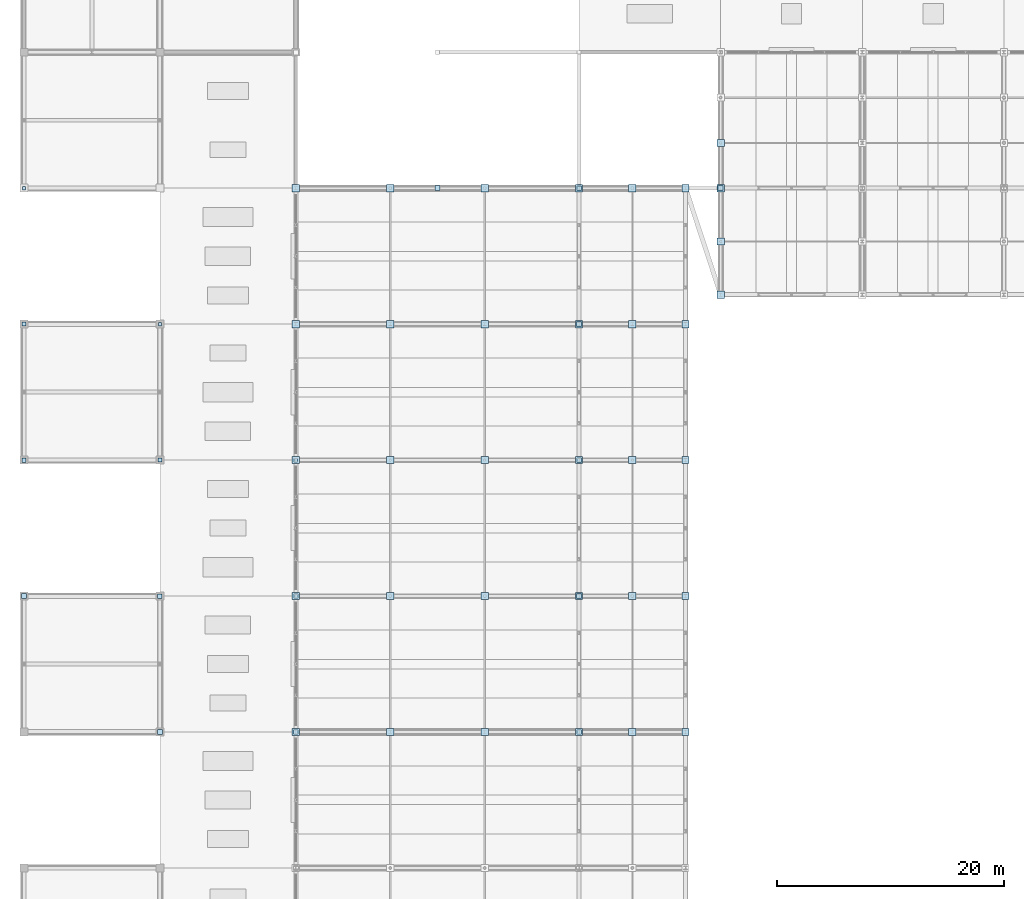
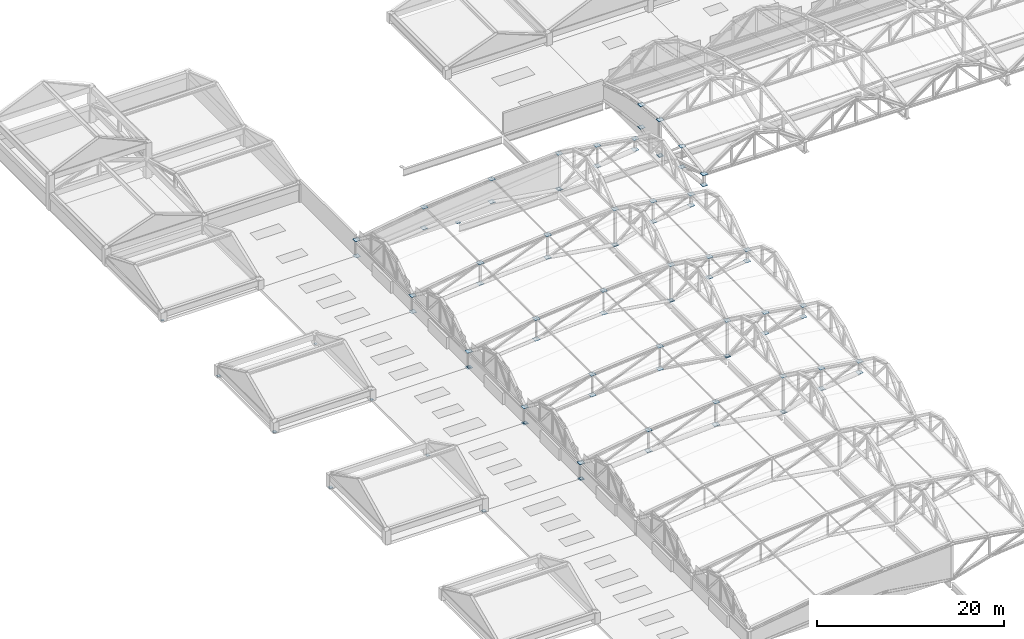
# One storey, part 101 of 117: 86 plates.
"""IFC4 building model written with IfcOpenShell, lengths in metres."""

from ifc_helpers import new_model, si_unit, direction, frame, origin, origin_2d, place, context, subcontext, project, spatial, rectangle, extrude, material, layer, layer_set, type_object, element, save


model = new_model("IFC4")

# Units and contexts
model_context = context("Model", 3, precision=1e-05, world=origin(), true_north=direction((0.0, 1.0)))
body_context = subcontext(model_context, "Body", "Model", "MODEL_VIEW")
ifc_project = project(units=[si_unit("LENGTHUNIT", "METRE"), si_unit("AREAUNIT", "SQUARE_METRE"), si_unit("VOLUMEUNIT", "CUBIC_METRE"), si_unit("PLANEANGLEUNIT", "RADIAN"), si_unit("MASSUNIT", "GRAM", prefix="KILO")], contexts=[model_context])

# Site, building, storey
site_placement = place(None, origin())
site = spatial("IfcSite", under=ifc_project, at=site_placement, CompositionType="ELEMENT")
building_placement = place(site_placement, origin())
building = spatial("IfcBuilding", under=site, at=building_placement, Name="Kazenohara Klinker Stadium", CompositionType="ELEMENT")
storey_placement = place(building_placement, frame((0.0, 0.0, 31.199951171875)))
storey = spatial("IfcBuildingStorey", under=building, at=storey_placement, Name="RF", CompositionType="ELEMENT", Elevation=31.199951171875)

# Plates
ifc_material = material(Name="Steel S355", Category="steel")
ifc_layer_1 = layer(ifc_material, 0.02001953125)
ifc_layer_set_1 = layer_set([ifc_layer_1], Name="Steel S355")
plate_type_1 = type_object("IfcPlateType", Name="PLT-GP01", PredefinedType="USERDEFINED", material=ifc_layer_set_1)
for number, where, z_axis, x_axis, name in (
    (1, (0.0, 96.0, -0.010009765625), (0.0, 0.0, 1.0), (1.0, 0.0, 0.0), "Hollow column end-cap plate GP01 RF 1/J"),
    (2, (12.0, 84.0, -0.010009765625), (0.0, 0.0, 1.0), (1.0, 0.0, 0.0), "Hollow column end-cap plate GP01 RF 2/H"),
    (3, (49.0, 120.0, -0.010009765625), (0.0, 0.0, 1.0), (1.0, 0.0, 0.0), "Hollow column end-cap plate GP01 RF 5/L"),
):
    element("IfcPlate", number, at=place(storey_placement, frame(where, z_axis=z_axis, x_axis=x_axis)), inside=storey, type_object=plate_type_1, Name=name, ObjectType="GUSSET PLATE", PredefinedType="USERDEFINED", context=body_context, shape_type="SweptSolid", body=[
        extrude(rectangle(XDim=0.43994140625, YDim=0.43994140625, at=origin_2d()), origin(), (0.0, 0.0, 1.0), 0.02001953125),
    ])
plate_1_placement = place(storey_placement, frame((49.0, 132.0, -0.010009765625), z_axis=(0.0, 0.0, 1.0), x_axis=(1.0, 0.0, 0.0)))
element("IfcPlate", 4, at=plate_1_placement, inside=storey, type_object=plate_type_1, Name="Hollow column end-cap plate GP01 RF 5/M", ObjectType="GUSSET PLATE", PredefinedType="USERDEFINED", context=body_context, shape_type="SweptSolid", body=[
    extrude(rectangle(XDim=0.389892578125, YDim=0.389892578125, at=origin_2d()), origin(), (0.0, 0.0, 1.0), 0.02001953125),
])
for number, where, z_axis, x_axis, name in (
    (5, (61.5, 127.300048828125, 1.340087890625), (0.0, 0.0, 1.0), (1.0, 0.0, 0.0), "ROOF TRUSS RT-N01 node gusset plate BN5"),
    (6, (61.5, 127.300048828125, 4.0400390625), (0.0, 0.0, 1.0), (1.0, 0.0, 0.0), "ROOF TRUSS RT-N01 node gusset plate TN5"),
    (7, (49.0, 84.0, -0.030029296875), (0.0, 0.0, 1.0), (1.0, 0.0, 0.0), "ROOF TRUSS RT-W04 node gusset plate BN4"),
    (8, (49.0, 84.0, 4.64013671875), (0.0, 0.0, 1.0), (1.0, 0.0, 0.0), "ROOF TRUSS RT-W04 node gusset plate TN4"),
    (9, (40.666748046875, 96.0, 1.239990234375), (0.0, 0.0, 1.0), (1.0, 0.0, 0.0), "ROOF TRUSS RT-W05 node gusset plate BN3"),
    (10, (40.666748046875, 96.0, 4.18994140625), (0.0, 0.0, 1.0), (1.0, 0.0, 0.0), "ROOF TRUSS RT-W05 node gusset plate TN3"),
    (11, (32.333251953125, 108.0, 0.739990234375), (0.0, 0.0, 1.0), (1.0, 0.0, 0.0), "ROOF TRUSS RT-W06 node gusset plate BN2"),
    (12, (32.333251953125, 108.0, 3.43994140625), (0.0, 0.0, 1.0), (1.0, 0.0, 0.0), "ROOF TRUSS RT-W06 node gusset plate TN2"),
    (13, (24.0, 120.0, -0.030029296875), (0.0, 0.0, 1.0), (1.0, 0.0, 0.0), "ROOF TRUSS RT-W07 node gusset plate BN1"),
    (14, (24.0, 120.0, 2.090087890625), (0.0, 0.0, 1.0), (1.0, 0.0, 0.0), "ROOF TRUSS RT-W07 node gusset plate TN1"),
    (15, (58.39990234375, 132.0, 1.840087890625), (0.0, 0.0, 1.0), (1.0, 0.0, 0.0), "ROOF TRUSS RT-W08 node gusset plate BN6"),
    (16, (58.39990234375, 132.0, 3.2900390625), (0.0, 0.0, 1.0), (1.0, 0.0, 0.0), "ROOF TRUSS RT-W08 node gusset plate TN6"),
):
    element("IfcPlate", number, at=place(storey_placement, frame(where, z_axis=z_axis, x_axis=x_axis)), inside=storey, type_object=plate_type_1, Name=name, ObjectType="GUSSET PLATE", PredefinedType="USERDEFINED", context=body_context, shape_type="SweptSolid", body=[
        extrude(rectangle(XDim=0.639892578125, YDim=0.639892578125, at=origin_2d()), origin(), (0.0, 0.0, 1.0), 0.02001953125),
    ])
ifc_layer_2 = layer(ifc_material, 0.02197265625)
ifc_layer_set_2 = layer_set([ifc_layer_2], Name="Steel S355")
plate_type_2 = type_object("IfcPlateType", Name="PLT-GP02", PredefinedType="USERDEFINED", material=ifc_layer_set_2)
plate_2_placement = place(storey_placement, frame((49.0, 84.0, -0.010986328125), z_axis=(0.0, 0.0, 1.0), x_axis=(1.0, 0.0, 0.0)))
element("IfcPlate", 17, at=plate_2_placement, inside=storey, type_object=plate_type_2, Name="Hollow column end-cap plate GP02 RF 5/H", ObjectType="GUSSET PLATE", PredefinedType="USERDEFINED", context=body_context, shape_type="SweptSolid", body=[
    extrude(rectangle(XDim=0.389892578125, YDim=0.389892578125, at=origin_2d()), origin(), (0.0, 0.0, 1.0), 0.02197265625),
])
for number, where, z_axis, x_axis, name in (
    (18, (61.5, 122.60009765625, 1.839111328125), (0.0, 0.0, 1.0), (1.0, 0.0, 0.0), "ROOF TRUSS RT-N01 node gusset plate BN6"),
    (19, (61.5, 122.60009765625, 3.2890625), (0.0, 0.0, 1.0), (1.0, 0.0, 0.0), "ROOF TRUSS RT-N01 node gusset plate TN6"),
    (20, (53.699951171875, 84.0, 1.339111328125), (0.0, 0.0, 1.0), (1.0, 0.0, 0.0), "ROOF TRUSS RT-W04 node gusset plate BN5"),
    (21, (53.699951171875, 84.0, 4.0390625), (0.0, 0.0, 1.0), (1.0, 0.0, 0.0), "ROOF TRUSS RT-W04 node gusset plate TN5"),
    (22, (49.0, 96.0, -0.031005859375), (0.0, 0.0, 1.0), (1.0, 0.0, 0.0), "ROOF TRUSS RT-W05 node gusset plate BN4"),
    (23, (49.0, 96.0, 4.63916015625), (0.0, 0.0, 1.0), (1.0, 0.0, 0.0), "ROOF TRUSS RT-W05 node gusset plate TN4"),
    (24, (40.666748046875, 108.0, 1.239013671875), (0.0, 0.0, 1.0), (1.0, 0.0, 0.0), "ROOF TRUSS RT-W06 node gusset plate BN3"),
    (25, (40.666748046875, 108.0, 4.18896484375), (0.0, 0.0, 1.0), (1.0, 0.0, 0.0), "ROOF TRUSS RT-W06 node gusset plate TN3"),
    (26, (32.333251953125, 120.0, 0.739013671875), (0.0, 0.0, 1.0), (1.0, 0.0, 0.0), "ROOF TRUSS RT-W07 node gusset plate BN2"),
    (27, (32.333251953125, 120.0, 3.43896484375), (0.0, 0.0, 1.0), (1.0, 0.0, 0.0), "ROOF TRUSS RT-W07 node gusset plate TN2"),
    (28, (24.0, 132.0, -0.031005859375), (0.0, 0.0, 1.0), (1.0, 0.0, 0.0), "ROOF TRUSS RT-W08 node gusset plate BN1"),
    (29, (24.0, 132.0, 2.089111328125), (0.0, 0.0, 1.0), (1.0, 0.0, 0.0), "ROOF TRUSS RT-W08 node gusset plate TN1"),
):
    element("IfcPlate", number, at=place(storey_placement, frame(where, z_axis=z_axis, x_axis=x_axis)), inside=storey, type_object=plate_type_2, Name=name, ObjectType="GUSSET PLATE", PredefinedType="USERDEFINED", context=body_context, shape_type="SweptSolid", body=[
        extrude(rectangle(XDim=0.639892578125, YDim=0.639892578125, at=origin_2d()), origin(), (0.0, 0.0, 1.0), 0.02197265625),
    ])
ifc_layer_3 = layer(ifc_material, 0.02392578125)
ifc_layer_set_3 = layer_set([ifc_layer_3], Name="Steel S355")
plate_type_3 = type_object("IfcPlateType", Name="PLT-GP03", PredefinedType="USERDEFINED", material=ifc_layer_set_3)
for number, where, z_axis, x_axis, name in (
    (30, (36.5, 132.0, -0.011962890625), (0.0, 0.0, 1.0), (1.0, 0.0, 0.0), "Hollow column end-cap plate GP03 RF 4/M"),
    (31, (49.0, 96.0, -0.011962890625), (0.0, 0.0, 1.0), (1.0, 0.0, 0.0), "Hollow column end-cap plate GP03 RF 5/J"),
    (32, (61.5, 132.0, -0.011962890625), (0.0, 0.0, 1.0), (1.0, 0.0, 0.0), "Hollow column end-cap plate GP03 RF 6/M"),
):
    element("IfcPlate", number, at=place(storey_placement, frame(where, z_axis=z_axis, x_axis=x_axis)), inside=storey, type_object=plate_type_3, Name=name, ObjectType="GUSSET PLATE", PredefinedType="USERDEFINED", context=body_context, shape_type="SweptSolid", body=[
        extrude(rectangle(XDim=0.43994140625, YDim=0.43994140625, at=origin_2d()), origin(), (0.0, 0.0, 1.0), 0.02392578125),
    ])
for number, where, z_axis, x_axis, name in (
    (33, (58.39990234375, 84.0, 1.838134765625), (0.0, 0.0, 1.0), (1.0, 0.0, 0.0), "ROOF TRUSS RT-W04 node gusset plate BN6"),
    (34, (58.39990234375, 84.0, 3.2880859375), (0.0, 0.0, 1.0), (1.0, 0.0, 0.0), "ROOF TRUSS RT-W04 node gusset plate TN6"),
    (35, (53.699951171875, 96.0, 1.338134765625), (0.0, 0.0, 1.0), (1.0, 0.0, 0.0), "ROOF TRUSS RT-W05 node gusset plate BN5"),
    (36, (53.699951171875, 96.0, 4.0380859375), (0.0, 0.0, 1.0), (1.0, 0.0, 0.0), "ROOF TRUSS RT-W05 node gusset plate TN5"),
    (37, (49.0, 108.0, -0.031982421875), (0.0, 0.0, 1.0), (1.0, 0.0, 0.0), "ROOF TRUSS RT-W06 node gusset plate BN4"),
    (38, (49.0, 108.0, 4.63818359375), (0.0, 0.0, 1.0), (1.0, 0.0, 0.0), "ROOF TRUSS RT-W06 node gusset plate TN4"),
    (39, (40.666748046875, 120.0, 1.238037109375), (0.0, 0.0, 1.0), (1.0, 0.0, 0.0), "ROOF TRUSS RT-W07 node gusset plate BN3"),
    (40, (40.666748046875, 120.0, 4.18798828125), (0.0, 0.0, 1.0), (1.0, 0.0, 0.0), "ROOF TRUSS RT-W07 node gusset plate TN3"),
    (41, (32.333251953125, 132.0, 0.738037109375), (0.0, 0.0, 1.0), (1.0, 0.0, 0.0), "ROOF TRUSS RT-W08 node gusset plate BN2"),
    (42, (32.333251953125, 132.0, 3.43798828125), (0.0, 0.0, 1.0), (1.0, 0.0, 0.0), "ROOF TRUSS RT-W08 node gusset plate TN2"),
):
    element("IfcPlate", number, at=place(storey_placement, frame(where, z_axis=z_axis, x_axis=x_axis)), inside=storey, type_object=plate_type_3, Name=name, ObjectType="GUSSET PLATE", PredefinedType="USERDEFINED", context=body_context, shape_type="SweptSolid", body=[
        extrude(rectangle(XDim=0.639892578125, YDim=0.639892578125, at=origin_2d()), origin(), (0.0, 0.0, 1.0), 0.02392578125),
    ])
ifc_layer_4 = layer(ifc_material, 0.02490234375)
ifc_layer_set_4 = layer_set([ifc_layer_4], Name="Steel S355")
plate_type_4 = type_object("IfcPlateType", Name="PLT-GP04", PredefinedType="USERDEFINED", material=ifc_layer_set_4)
plate_3_placement = place(storey_placement, frame((0.0, 108.0, -0.012451171875), z_axis=(0.0, 0.0, 1.0), x_axis=(1.0, 0.0, 0.0)))
element("IfcPlate", 43, at=plate_3_placement, inside=storey, type_object=plate_type_4, Name="Hollow column end-cap plate GP04 RF 1/K", ObjectType="GUSSET PLATE", PredefinedType="USERDEFINED", context=body_context, shape_type="SweptSolid", body=[
    extrude(rectangle(XDim=0.389892578125, YDim=0.389892578125, at=origin_2d()), origin(), (0.0, 0.0, 1.0), 0.02490234375),
])
plate_4_placement = place(storey_placement, frame((0.0, 120.0, -0.012451171875), z_axis=(0.0, 0.0, 1.0), x_axis=(1.0, 0.0, 0.0)))
element("IfcPlate", 44, at=plate_4_placement, inside=storey, type_object=plate_type_4, Name="Hollow column end-cap plate GP04 RF 1/L", ObjectType="GUSSET PLATE", PredefinedType="USERDEFINED", context=body_context, shape_type="SweptSolid", body=[
    extrude(rectangle(XDim=0.340087890625, YDim=0.340087890625, at=origin_2d()), origin(), (0.0, 0.0, 1.0), 0.02490234375),
])
plate_5_placement = place(storey_placement, frame((0.0, 132.0, -0.012451171875), z_axis=(0.0, 0.0, 1.0), x_axis=(1.0, 0.0, 0.0)))
element("IfcPlate", 45, at=plate_5_placement, inside=storey, type_object=plate_type_4, Name="Hollow column end-cap plate GP04 RF 1/M", ObjectType="GUSSET PLATE", PredefinedType="USERDEFINED", context=body_context, shape_type="SweptSolid", body=[
    extrude(rectangle(XDim=0.2900390625, YDim=0.2900390625, at=origin_2d()), origin(), (0.0, 0.0, 1.0), 0.02490234375),
])
plate_6_placement = place(storey_placement, frame((12.0, 96.0, -0.012451171875), z_axis=(0.0, 0.0, 1.0), x_axis=(1.0, 0.0, 0.0)))
element("IfcPlate", 46, at=plate_6_placement, inside=storey, type_object=plate_type_4, Name="Hollow column end-cap plate GP04 RF 2/J", ObjectType="GUSSET PLATE", PredefinedType="USERDEFINED", context=body_context, shape_type="SweptSolid", body=[
    extrude(rectangle(XDim=0.389892578125, YDim=0.389892578125, at=origin_2d()), origin(), (0.0, 0.0, 1.0), 0.02490234375),
])
plate_7_placement = place(storey_placement, frame((12.0, 108.0, -0.012451171875), z_axis=(0.0, 0.0, 1.0), x_axis=(1.0, 0.0, 0.0)))
element("IfcPlate", 47, at=plate_7_placement, inside=storey, type_object=plate_type_4, Name="Hollow column end-cap plate GP04 RF 2/K", ObjectType="GUSSET PLATE", PredefinedType="USERDEFINED", context=body_context, shape_type="SweptSolid", body=[
    extrude(rectangle(XDim=0.340087890625, YDim=0.340087890625, at=origin_2d()), origin(), (0.0, 0.0, 1.0), 0.02490234375),
])
plate_8_placement = place(storey_placement, frame((12.0, 120.0, -0.012451171875), z_axis=(0.0, 0.0, 1.0), x_axis=(1.0, 0.0, 0.0)))
element("IfcPlate", 48, at=plate_8_placement, inside=storey, type_object=plate_type_4, Name="Hollow column end-cap plate GP04 RF 2/L", ObjectType="GUSSET PLATE", PredefinedType="USERDEFINED", context=body_context, shape_type="SweptSolid", body=[
    extrude(rectangle(XDim=0.2900390625, YDim=0.2900390625, at=origin_2d()), origin(), (0.0, 0.0, 1.0), 0.02490234375),
])
plate_9_placement = place(storey_placement, frame((24.0, 84.0, -0.012451171875), z_axis=(0.0, 0.0, 1.0), x_axis=(1.0, 0.0, 0.0)))
element("IfcPlate", 49, at=plate_9_placement, inside=storey, type_object=plate_type_4, Name="Hollow column end-cap plate GP04 RF 3/H", ObjectType="GUSSET PLATE", PredefinedType="USERDEFINED", context=body_context, shape_type="SweptSolid", body=[
    extrude(rectangle(XDim=0.389892578125, YDim=0.389892578125, at=origin_2d()), origin(), (0.0, 0.0, 1.0), 0.02490234375),
])
plate_10_placement = place(storey_placement, frame((24.0, 96.0, -0.012451171875), z_axis=(0.0, 0.0, 1.0), x_axis=(1.0, 0.0, 0.0)))
element("IfcPlate", 50, at=plate_10_placement, inside=storey, type_object=plate_type_4, Name="Hollow column end-cap plate GP04 RF 3/J", ObjectType="GUSSET PLATE", PredefinedType="USERDEFINED", context=body_context, shape_type="SweptSolid", body=[
    extrude(rectangle(XDim=0.340087890625, YDim=0.340087890625, at=origin_2d()), origin(), (0.0, 0.0, 1.0), 0.02490234375),
])
plate_11_placement = place(storey_placement, frame((24.0, 108.0, -0.012451171875), z_axis=(0.0, 0.0, 1.0), x_axis=(1.0, 0.0, 0.0)))
element("IfcPlate", 51, at=plate_11_placement, inside=storey, type_object=plate_type_4, Name="Hollow column end-cap plate GP04 RF 3/K", ObjectType="GUSSET PLATE", PredefinedType="USERDEFINED", context=body_context, shape_type="SweptSolid", body=[
    extrude(rectangle(XDim=0.2900390625, YDim=0.2900390625, at=origin_2d()), origin(), (0.0, 0.0, 1.0), 0.02490234375),
])
plate_12_placement = place(storey_placement, frame((49.0, 108.0, -0.012451171875), z_axis=(0.0, 0.0, 1.0), x_axis=(1.0, 0.0, 0.0)))
element("IfcPlate", 52, at=plate_12_placement, inside=storey, type_object=plate_type_4, Name="Hollow column end-cap plate GP04 RF 5/K", ObjectType="GUSSET PLATE", PredefinedType="USERDEFINED", context=body_context, shape_type="SweptSolid", body=[
    extrude(rectangle(XDim=0.389892578125, YDim=0.389892578125, at=origin_2d()), origin(), (0.0, 0.0, 1.0), 0.02490234375),
])
for number, where, z_axis, x_axis, name in (
    (53, (24.0, 84.0, -0.032470703125), (0.0, 0.0, 1.0), (1.0, 0.0, 0.0), "ROOF TRUSS RT-W04 node gusset plate BN1"),
    (54, (24.0, 84.0, 2.087646484375), (0.0, 0.0, 1.0), (1.0, 0.0, 0.0), "ROOF TRUSS RT-W04 node gusset plate TN1"),
    (55, (58.39990234375, 96.0, 1.837646484375), (0.0, 0.0, 1.0), (1.0, 0.0, 0.0), "ROOF TRUSS RT-W05 node gusset plate BN6"),
    (56, (58.39990234375, 96.0, 3.28759765625), (0.0, 0.0, 1.0), (1.0, 0.0, 0.0), "ROOF TRUSS RT-W05 node gusset plate TN6"),
    (57, (53.699951171875, 108.0, 1.337646484375), (0.0, 0.0, 1.0), (1.0, 0.0, 0.0), "ROOF TRUSS RT-W06 node gusset plate BN5"),
    (58, (53.699951171875, 108.0, 4.03759765625), (0.0, 0.0, 1.0), (1.0, 0.0, 0.0), "ROOF TRUSS RT-W06 node gusset plate TN5"),
    (59, (49.0, 120.0, -0.032470703125), (0.0, 0.0, 1.0), (1.0, 0.0, 0.0), "ROOF TRUSS RT-W07 node gusset plate BN4"),
    (60, (49.0, 120.0, 4.6376953125), (0.0, 0.0, 1.0), (1.0, 0.0, 0.0), "ROOF TRUSS RT-W07 node gusset plate TN4"),
    (61, (40.666748046875, 132.0, 1.237548828125), (0.0, 0.0, 1.0), (1.0, 0.0, 0.0), "ROOF TRUSS RT-W08 node gusset plate BN3"),
    (62, (40.666748046875, 132.0, 4.1875), (0.0, 0.0, 1.0), (1.0, 0.0, 0.0), "ROOF TRUSS RT-W08 node gusset plate TN3"),
):
    element("IfcPlate", number, at=place(storey_placement, frame(where, z_axis=z_axis, x_axis=x_axis)), inside=storey, type_object=plate_type_4, Name=name, ObjectType="GUSSET PLATE", PredefinedType="USERDEFINED", context=body_context, shape_type="SweptSolid", body=[
        extrude(rectangle(XDim=0.639892578125, YDim=0.639892578125, at=origin_2d()), origin(), (0.0, 0.0, 1.0), 0.02490234375),
    ])
ifc_layer_5 = layer(ifc_material, 0.02587890625)
ifc_layer_set_5 = layer_set([ifc_layer_5], Name="Steel S355")
plate_type_5 = type_object("IfcPlateType", Name="PLT-GP05", PredefinedType="USERDEFINED", material=ifc_layer_set_5)
for number, where, z_axis, x_axis, name in (
    (63, (61.5, 136.0, 1.237060546875), (0.0, 0.0, 1.0), (1.0, 0.0, 0.0), "ROOF TRUSS RT-N01 node gusset plate BN3"),
    (64, (61.5, 136.0, 4.18701171875), (0.0, 0.0, 1.0), (1.0, 0.0, 0.0), "ROOF TRUSS RT-N01 node gusset plate TN3"),
    (65, (32.333251953125, 84.0, 0.737060546875), (0.0, 0.0, 1.0), (1.0, 0.0, 0.0), "ROOF TRUSS RT-W04 node gusset plate BN2"),
    (66, (32.333251953125, 84.0, 3.43701171875), (0.0, 0.0, 1.0), (1.0, 0.0, 0.0), "ROOF TRUSS RT-W04 node gusset plate TN2"),
    (67, (24.0, 96.0, -0.032958984375), (0.0, 0.0, 1.0), (1.0, 0.0, 0.0), "ROOF TRUSS RT-W05 node gusset plate BN1"),
    (68, (24.0, 96.0, 2.087158203125), (0.0, 0.0, 1.0), (1.0, 0.0, 0.0), "ROOF TRUSS RT-W05 node gusset plate TN1"),
    (69, (58.39990234375, 108.0, 1.837158203125), (0.0, 0.0, 1.0), (1.0, 0.0, 0.0), "ROOF TRUSS RT-W06 node gusset plate BN6"),
    (70, (58.39990234375, 108.0, 3.287109375), (0.0, 0.0, 1.0), (1.0, 0.0, 0.0), "ROOF TRUSS RT-W06 node gusset plate TN6"),
    (71, (53.699951171875, 120.0, 1.337158203125), (0.0, 0.0, 1.0), (1.0, 0.0, 0.0), "ROOF TRUSS RT-W07 node gusset plate BN5"),
    (72, (53.699951171875, 120.0, 4.037109375), (0.0, 0.0, 1.0), (1.0, 0.0, 0.0), "ROOF TRUSS RT-W07 node gusset plate TN5"),
    (73, (49.0, 132.0, -0.032958984375), (0.0, 0.0, 1.0), (1.0, 0.0, 0.0), "ROOF TRUSS RT-W08 node gusset plate BN4"),
    (74, (49.0, 132.0, 4.63720703125), (0.0, 0.0, 1.0), (1.0, 0.0, 0.0), "ROOF TRUSS RT-W08 node gusset plate TN4"),
):
    element("IfcPlate", number, at=place(storey_placement, frame(where, z_axis=z_axis, x_axis=x_axis)), inside=storey, type_object=plate_type_5, Name=name, ObjectType="GUSSET PLATE", PredefinedType="USERDEFINED", context=body_context, shape_type="SweptSolid", body=[
        extrude(rectangle(XDim=0.639892578125, YDim=0.639892578125, at=origin_2d()), origin(), (0.0, 0.0, 1.0), 0.02587890625),
    ])
ifc_layer_6 = layer(ifc_material, 0.028076171875)
ifc_layer_set_6 = layer_set([ifc_layer_6], Name="Steel S355")
plate_type_6 = type_object("IfcPlateType", Name="PLT-GP06", PredefinedType="USERDEFINED", material=ifc_layer_set_6)
for number, where, z_axis, x_axis, name in (
    (75, (61.5, 132.0, -0.0341796875), (0.0, 0.0, 1.0), (1.0, 0.0, 0.0), "ROOF TRUSS RT-N01 node gusset plate BN4"),
    (76, (61.5, 132.0, 4.63623046875), (0.0, 0.0, 1.0), (1.0, 0.0, 0.0), "ROOF TRUSS RT-N01 node gusset plate TN4"),
    (77, (40.666748046875, 84.0, 1.23583984375), (0.0, 0.0, 1.0), (1.0, 0.0, 0.0), "ROOF TRUSS RT-W04 node gusset plate BN3"),
    (78, (40.666748046875, 84.0, 4.18603515625), (0.0, 0.0, 1.0), (1.0, 0.0, 0.0), "ROOF TRUSS RT-W04 node gusset plate TN3"),
    (79, (32.333251953125, 96.0, 0.73583984375), (0.0, 0.0, 1.0), (1.0, 0.0, 0.0), "ROOF TRUSS RT-W05 node gusset plate BN2"),
    (80, (32.333251953125, 96.0, 3.43603515625), (0.0, 0.0, 1.0), (1.0, 0.0, 0.0), "ROOF TRUSS RT-W05 node gusset plate TN2"),
    (81, (24.0, 108.0, -0.0341796875), (0.0, 0.0, 1.0), (1.0, 0.0, 0.0), "ROOF TRUSS RT-W06 node gusset plate BN1"),
    (82, (24.0, 108.0, 2.0859375), (0.0, 0.0, 1.0), (1.0, 0.0, 0.0), "ROOF TRUSS RT-W06 node gusset plate TN1"),
    (83, (58.39990234375, 120.0, 1.8359375), (0.0, 0.0, 1.0), (1.0, 0.0, 0.0), "ROOF TRUSS RT-W07 node gusset plate BN6"),
    (84, (58.39990234375, 120.0, 3.2861328125), (0.0, 0.0, 1.0), (1.0, 0.0, 0.0), "ROOF TRUSS RT-W07 node gusset plate TN6"),
    (85, (53.699951171875, 132.0, 1.3359375), (0.0, 0.0, 1.0), (1.0, 0.0, 0.0), "ROOF TRUSS RT-W08 node gusset plate BN5"),
    (86, (53.699951171875, 132.0, 4.0361328125), (0.0, 0.0, 1.0), (1.0, 0.0, 0.0), "ROOF TRUSS RT-W08 node gusset plate TN5"),
):
    element("IfcPlate", number, at=place(storey_placement, frame(where, z_axis=z_axis, x_axis=x_axis)), inside=storey, type_object=plate_type_6, Name=name, ObjectType="GUSSET PLATE", PredefinedType="USERDEFINED", context=body_context, shape_type="SweptSolid", body=[
        extrude(rectangle(XDim=0.639892578125, YDim=0.639892578125, at=origin_2d()), origin(), (0.0, 0.0, 1.0), 0.028076171875),
    ])

save(model, "model.ifc")
